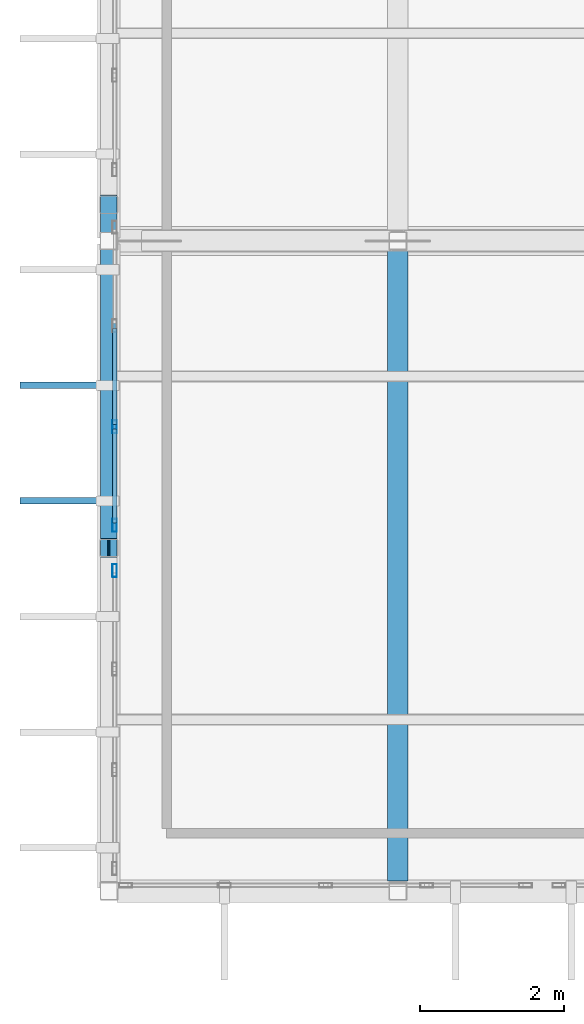
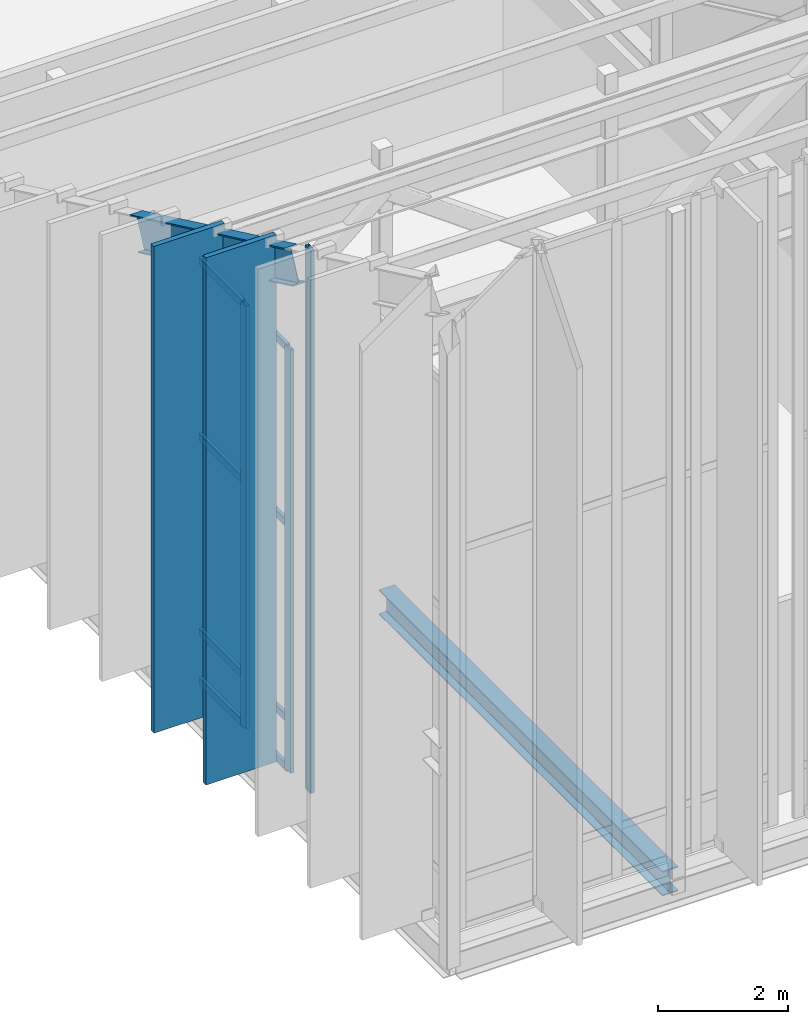
# One storey, part 5 of 68: 13 members, 2 beams, 2 elements without a shape of their own.
"""IFC4 building model written with IfcOpenShell, lengths in metres."""

from ifc_helpers import new_model, si_unit, direction, frame, origin, origin_2d, place, context, subcontext, project, spatial, rectangle, hollow_rectangle, i_section, extrude, material, material_profile, profile_set, type_object, element, aggregate, save


model = new_model("IFC4")

# Units and contexts
model_context = context("Model", 3, precision=1e-05, world=origin(), true_north=direction((0.0, 1.0)))
body_context = subcontext(model_context, "Body", "Model", "MODEL_VIEW")
ifc_project = project(units=[si_unit("LENGTHUNIT", "METRE"), si_unit("AREAUNIT", "SQUARE_METRE"), si_unit("VOLUMEUNIT", "CUBIC_METRE"), si_unit("PLANEANGLEUNIT", "RADIAN"), si_unit("MASSUNIT", "GRAM", prefix="KILO")], contexts=[model_context])

# Site, building, storey
site_placement = place(None, origin())
site = spatial("IfcSite", under=ifc_project, at=site_placement, CompositionType="ELEMENT")
building_placement = place(site_placement, origin())
building = spatial("IfcBuilding", under=site, at=building_placement, Name="Miravela Opera House", CompositionType="ELEMENT")
storey_placement = place(building_placement, frame((0.0, 0.0, 21.760009765625)))
storey = spatial("IfcBuildingStorey", under=building, at=storey_placement, Name="L05", CompositionType="ELEMENT", Elevation=21.760009765625)

# Curtain wall, member
ifc_material_1 = material(Name="Anodised architectural bronze aluminium 6063-T6", Category="aluminium")
curtain_wall_type = type_object("IfcCurtainWallType", Name="ARC-CW-03", PredefinedType="NOTDEFINED", material=ifc_material_1)
curtain_wall_1_placement = place(storey_placement, origin())
curtain_wall_1 = element("IfcCurtainWall", 1, at=curtain_wall_1_placement, inside=storey, type_object=curtain_wall_type, Name="Cantilever West Wrapper Glazing B1 CW-L05-047", PredefinedType="NOTDEFINED")
ifc_material_profile_1 = material_profile(ifc_material_1, hollow_rectangle(XDim=0.06494140625, YDim=0.179931640625, WallThickness=0.00390625, InnerFilletRadius=0.001953125, OuterFilletRadius=0.00390625, at=origin_2d()), Name="CWM-65X180")
ifc_profile_set_1 = profile_set([ifc_material_profile_1])
member_type_1 = type_object("IfcMemberType", Name="ARC-CWM-180", PredefinedType="MULLION", material=ifc_profile_set_1)
member_1_placement = place(storey_placement, frame((15.080078125, 41.4375, 0.0), z_axis=(0.0, 0.0, 1.0), x_axis=(-1.0, 0.0, 0.0)))
member_1 = element("IfcMember", 2, at=member_1_placement, type_object=member_type_1, Name="CW-03 mullion 4", PredefinedType="MULLION", context=body_context, shape_type="SweptSolid", body=[
    extrude(hollow_rectangle(XDim=0.06494140625, YDim=0.179931640625, WallThickness=0.00390625, InnerFilletRadius=0.001953125, OuterFilletRadius=0.00390625, at=origin_2d()), origin(), (0.0, 0.0, 1.0), 10.192626953125),
])
aggregate(curtain_wall_1, [member_1])

# Curtain wall, members
curtain_wall_2_placement = place(storey_placement, origin())
curtain_wall_2 = element("IfcCurtainWall", 3, at=curtain_wall_2_placement, inside=storey, type_object=curtain_wall_type, Name="Cantilever West Wrapper Glazing B2 CW-L05-048", PredefinedType="NOTDEFINED")
member_2_placement = place(storey_placement, frame((15.080078125, 42.0625, 0.0), z_axis=(0.0, 0.0, 1.0), x_axis=(-1.0, 0.0, 0.0)))
member_2 = element("IfcMember", 4, at=member_2_placement, type_object=member_type_1, Name="CW-03 mullion 1", PredefinedType="MULLION", context=body_context, shape_type="SweptSolid", body=[
    extrude(hollow_rectangle(XDim=0.06494140625, YDim=0.179931640625, WallThickness=0.00390625, InnerFilletRadius=0.001953125, OuterFilletRadius=0.00390625, at=origin_2d()), origin(), (0.0, 0.0, 1.0), 7.942626953125),
])
member_3_placement = place(storey_placement, frame((15.080078125, 43.4267578125, 0.0), z_axis=(0.0, 0.0, 1.0), x_axis=(-1.0, 0.0, 0.0)))
member_3 = element("IfcMember", 5, at=member_3_placement, type_object=member_type_1, Name="CW-03 mullion 2", PredefinedType="MULLION", context=body_context, shape_type="SweptSolid", body=[
    extrude(hollow_rectangle(XDim=0.06494140625, YDim=0.179931640625, WallThickness=0.00390625, InnerFilletRadius=0.001953125, OuterFilletRadius=0.00390625, at=origin_2d()), origin(), (0.0, 0.0, 1.0), 7.942626953125),
])
ifc_material_profile_2 = material_profile(ifc_material_1, hollow_rectangle(XDim=0.06494140625, YDim=0.139892578125, WallThickness=0.00390625, InnerFilletRadius=0.001953125, OuterFilletRadius=0.00390625, at=origin_2d()), Name="CWT-65X140")
ifc_profile_set_2 = profile_set([ifc_material_profile_2])
member_type_2 = type_object("IfcMemberType", Name="ARC-CWT-140", PredefinedType="USERDEFINED", material=ifc_profile_set_2)
member_4_placement = place(storey_placement, frame((15.080078125, 42.094970703125, 0.032470703125), z_axis=(0.0, 1.0, 0.0), x_axis=(-1.0, 0.0, 0.0)))
member_4 = element("IfcMember", 6, at=member_4_placement, type_object=member_type_2, Name="CW-03 transom 1.1", ObjectType="TRANSOM", PredefinedType="USERDEFINED", context=body_context, shape_type="SweptSolid", body=[
    extrude(hollow_rectangle(XDim=0.06494140625, YDim=0.139892578125, WallThickness=0.00390625, InnerFilletRadius=0.001953125, OuterFilletRadius=0.00390625, at=origin_2d()), origin(), (0.0, 0.0, 1.0), 1.29931640625),
])
member_5_placement = place(storey_placement, frame((15.080078125, 42.094970703125, 0.949951171875), z_axis=(0.0, 1.0, 0.0), x_axis=(-1.0, 0.0, 0.0)))
member_5 = element("IfcMember", 7, at=member_5_placement, type_object=member_type_2, Name="CW-03 transom 1.2", ObjectType="TRANSOM", PredefinedType="USERDEFINED", context=body_context, shape_type="SweptSolid", body=[
    extrude(hollow_rectangle(XDim=0.06494140625, YDim=0.139892578125, WallThickness=0.00390625, InnerFilletRadius=0.001953125, OuterFilletRadius=0.00390625, at=origin_2d()), origin(), (0.0, 0.0, 1.0), 1.29931640625),
])
member_6_placement = place(storey_placement, frame((15.080078125, 42.094970703125, 4.606689453125), z_axis=(0.0, 1.0, 0.0), x_axis=(-1.0, 0.0, 0.0)))
member_6 = element("IfcMember", 8, at=member_6_placement, type_object=member_type_2, Name="CW-03 transom 1.3", ObjectType="TRANSOM", PredefinedType="USERDEFINED", context=body_context, shape_type="SweptSolid", body=[
    extrude(hollow_rectangle(XDim=0.06494140625, YDim=0.139892578125, WallThickness=0.00390625, InnerFilletRadius=0.001953125, OuterFilletRadius=0.00390625, at=origin_2d()), origin(), (0.0, 0.0, 1.0), 1.29931640625),
])
member_7_placement = place(storey_placement, frame((15.080078125, 42.094970703125, 7.91015625), z_axis=(0.0, 1.0, 0.0), x_axis=(-1.0, 0.0, 0.0)))
member_7 = element("IfcMember", 9, at=member_7_placement, type_object=member_type_2, Name="CW-03 transom 1.4", ObjectType="TRANSOM", PredefinedType="USERDEFINED", context=body_context, shape_type="SweptSolid", body=[
    extrude(hollow_rectangle(XDim=0.06494140625, YDim=0.139892578125, WallThickness=0.00390625, InnerFilletRadius=0.001953125, OuterFilletRadius=0.00390625, at=origin_2d()), origin(), (0.0, 0.0, 1.0), 1.29931640625),
])
member_8_placement = place(storey_placement, frame((15.080078125, 43.459228515625, 0.032470703125), z_axis=(0.0, 1.0, 0.0), x_axis=(-1.0, 0.0, 0.0)))
member_8 = element("IfcMember", 10, at=member_8_placement, type_object=member_type_2, Name="CW-03 transom 2.1", ObjectType="TRANSOM", PredefinedType="USERDEFINED", context=body_context, shape_type="SweptSolid", body=[
    extrude(hollow_rectangle(XDim=0.06494140625, YDim=0.139892578125, WallThickness=0.00390625, InnerFilletRadius=0.001953125, OuterFilletRadius=0.00390625, at=origin_2d()), origin(), (0.0, 0.0, 1.0), 1.33154296875),
])
member_9_placement = place(storey_placement, frame((15.080078125, 43.459228515625, 0.949951171875), z_axis=(0.0, 1.0, 0.0), x_axis=(-1.0, 0.0, 0.0)))
member_9 = element("IfcMember", 11, at=member_9_placement, type_object=member_type_2, Name="CW-03 transom 2.2", ObjectType="TRANSOM", PredefinedType="USERDEFINED", context=body_context, shape_type="SweptSolid", body=[
    extrude(hollow_rectangle(XDim=0.06494140625, YDim=0.139892578125, WallThickness=0.00390625, InnerFilletRadius=0.001953125, OuterFilletRadius=0.00390625, at=origin_2d()), origin(), (0.0, 0.0, 1.0), 1.33154296875),
])
member_10_placement = place(storey_placement, frame((15.080078125, 43.459228515625, 4.606689453125), z_axis=(0.0, 1.0, 0.0), x_axis=(-1.0, 0.0, 0.0)))
member_10 = element("IfcMember", 12, at=member_10_placement, type_object=member_type_2, Name="CW-03 transom 2.3", ObjectType="TRANSOM", PredefinedType="USERDEFINED", context=body_context, shape_type="SweptSolid", body=[
    extrude(hollow_rectangle(XDim=0.06494140625, YDim=0.139892578125, WallThickness=0.00390625, InnerFilletRadius=0.001953125, OuterFilletRadius=0.00390625, at=origin_2d()), origin(), (0.0, 0.0, 1.0), 1.33154296875),
])
member_11_placement = place(storey_placement, frame((15.080078125, 43.459228515625, 7.91015625), z_axis=(0.0, 1.0, 0.0), x_axis=(-1.0, 0.0, 0.0)))
member_11 = element("IfcMember", 13, at=member_11_placement, type_object=member_type_2, Name="CW-03 transom 2.4", ObjectType="TRANSOM", PredefinedType="USERDEFINED", context=body_context, shape_type="SweptSolid", body=[
    extrude(hollow_rectangle(XDim=0.06494140625, YDim=0.139892578125, WallThickness=0.00390625, InnerFilletRadius=0.001953125, OuterFilletRadius=0.00390625, at=origin_2d()), origin(), (0.0, 0.0, 1.0), 1.33154296875),
])
aggregate(curtain_wall_2, [member_2, member_3, member_4, member_5, member_6, member_7, member_8, member_9, member_10, member_11])

# Members
ifc_material_profile_3 = material_profile(ifc_material_1, rectangle(XDim=0.090087890625, YDim=1.25, at=origin_2d()), Name="FIN-1250X90")
ifc_profile_set_3 = profile_set([ifc_material_profile_3])
member_type_3 = type_object("IfcMemberType", Name="ARC-FIN-1250", PredefinedType="USERDEFINED", material=ifc_profile_set_3)
member_12_placement = place(storey_placement, frame((14.39501953125, 42.39990234375, 0.0), z_axis=(0.0, 0.0, 1.0), x_axis=(0.0, 1.0, 0.0)))
element("IfcMember", 14, at=member_12_placement, inside=storey, type_object=member_type_3, Name="Auditorium Wrapper Bronze Solar Fin FIN-L05-WEST-0144", ObjectType="FIN", PredefinedType="USERDEFINED", context=body_context, shape_type="SweptSolid", body=[
    extrude(rectangle(XDim=0.090087890625, YDim=1.25, at=origin_2d()), origin(), (0.0, 0.0, 1.0), 9.89208984375),
])
member_13_placement = place(storey_placement, frame((14.39501953125, 44.0, 0.0), z_axis=(0.0, 0.0, 1.0), x_axis=(0.0, 1.0, 0.0)))
element("IfcMember", 15, at=member_13_placement, inside=storey, type_object=member_type_3, Name="Auditorium Wrapper Bronze Solar Fin FIN-L05-WEST-0145", ObjectType="FIN", PredefinedType="USERDEFINED", context=body_context, shape_type="SweptSolid", body=[
    extrude(rectangle(XDim=0.090087890625, YDim=1.25, at=origin_2d()), origin(), (0.0, 0.0, 1.0), 9.13427734375),
])

# Beams
ifc_material_2 = material(Name="Structural steel ASTM A992 Gr. 50", Category="steel")
ifc_material_profile_4 = material_profile(ifc_material_2, i_section(OverallWidth=0.280029296875, OverallDepth=0.462890625, WebThickness=0.0107421875, FlangeThickness=0.017333984375, FilletRadius=0.014892578125, at=origin_2d()), Name="W460X113")
ifc_profile_set_4 = profile_set([ifc_material_profile_4])
beam_type_1 = type_object("IfcBeamType", Name="STR-BM-W460X113", PredefinedType="BEAM", material=ifc_profile_set_4)
beam_1_placement = place(storey_placement, frame((19.0, 37.14111328125, -0.471435546875), z_axis=(0.0, 1.0, 0.0), x_axis=(-1.0, 0.0, 0.0)))
element("IfcBeam", 16, at=beam_1_placement, inside=storey, type_object=beam_type_1, Name="Cantilever Overhang Beam L05 X=19", PredefinedType="BEAM", context=body_context, shape_type="SweptSolid", body=[
    extrude(i_section(OverallWidth=0.280029296875, OverallDepth=0.462890625, WebThickness=0.0107421875, FlangeThickness=0.017333984375, FilletRadius=0.014892578125, at=origin_2d()), origin(), (0.0, 0.0, 1.0), 8.7177734375),
])
ifc_material_profile_5 = material_profile(ifc_material_2, i_section(OverallWidth=0.22998046875, OverallDepth=0.616943359375, WebThickness=0.01318359375, FlangeThickness=0.022216796875, FilletRadius=0.01806640625, at=origin_2d()), Name="W610X140")
ifc_profile_set_5 = profile_set([ifc_material_profile_5])
beam_type_2 = type_object("IfcBeamType", Name="STR-BM-W610X140", PredefinedType="BEAM", material=ifc_profile_set_5)
beam_2_placement = place(storey_placement, frame((15.0, 41.75, 9.689453125), z_axis=(0.0, 0.903737838894, -0.428086344739), x_axis=(-1.0, 0.0, 0.0)))
element("IfcBeam", 17, at=beam_2_placement, inside=storey, type_object=beam_type_2, Name="V-Crest Roof Rafter Girder X=15 Seg 2", PredefinedType="BEAM", context=body_context, shape_type="SweptSolid", body=[
    extrude(i_section(OverallWidth=0.22998046875, OverallDepth=0.616943359375, WebThickness=0.01318359375, FlangeThickness=0.022216796875, FilletRadius=0.01806640625, at=origin_2d()), origin(), (0.0, 0.0, 1.0), 5.255859375),
])

save(model, "model.ifc")
